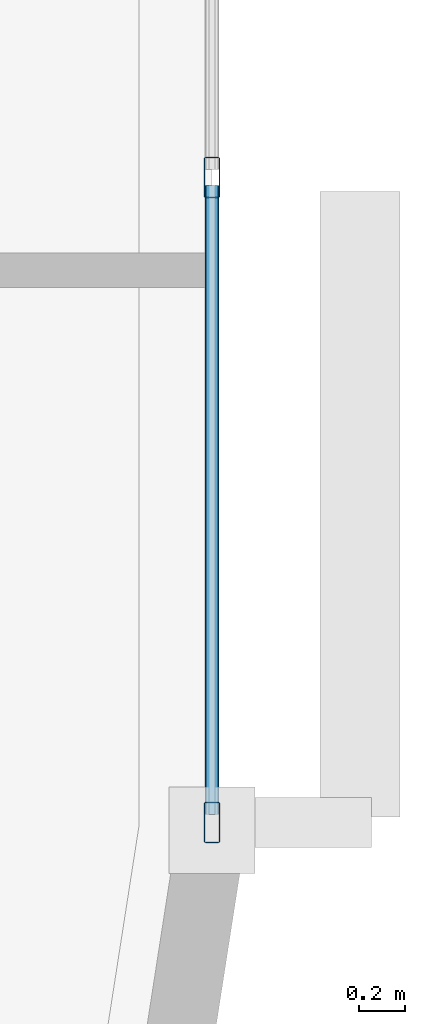
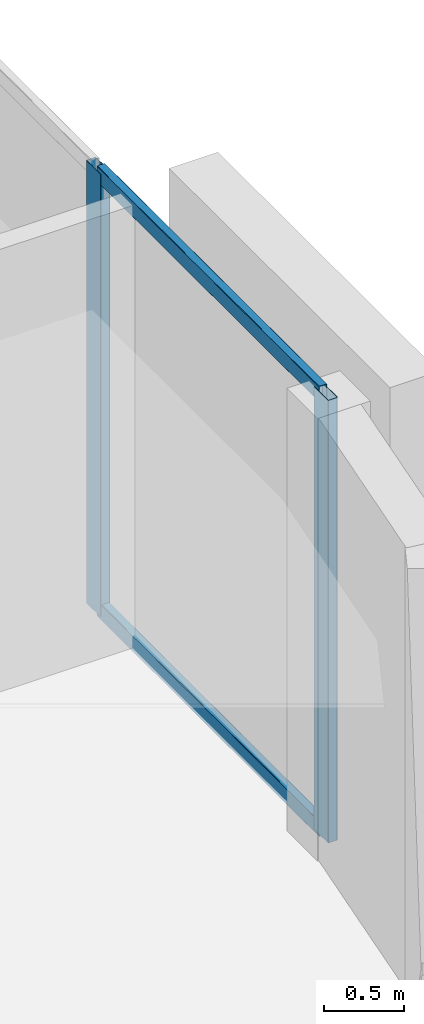
# One storey, part 4 of 15: 4 members, 1 element without a shape of its own.
"""IFC4 building model written with IfcOpenShell, lengths in metres."""

from ifc_helpers import new_model, si_unit, direction, frame, origin, origin_2d, place, context, subcontext, project, spatial, hollow_rectangle, extrude, material, layer, layer_set, material_profile, profile_set, type_object, element, aggregate, save


model = new_model("IFC4")

# Units and contexts
model_context = context("Model", 3, precision=1e-05, world=origin(), true_north=direction((0.0, 1.0)))
body_context = subcontext(model_context, "Body", "Model", "MODEL_VIEW")
ifc_project = project(units=[si_unit("LENGTHUNIT", "METRE"), si_unit("AREAUNIT", "SQUARE_METRE"), si_unit("VOLUMEUNIT", "CUBIC_METRE"), si_unit("PLANEANGLEUNIT", "RADIAN"), si_unit("MASSUNIT", "GRAM", prefix="KILO")], contexts=[model_context])

# Site, building, storey
site_placement = place(None, origin())
site = spatial("IfcSite", under=ifc_project, at=site_placement, CompositionType="ELEMENT")
building_placement = place(site_placement, origin())
building = spatial("IfcBuilding", under=site, at=building_placement, Name="An Khanh Terracotta Commons", CompositionType="ELEMENT")
storey_placement = place(building_placement, frame((0.0, 0.0, 129.5)))
storey = spatial("IfcBuildingStorey", under=building, at=storey_placement, Name="L34", CompositionType="ELEMENT", Elevation=129.5)

# Curtain wall, members
ifc_material = material(Name="Anodised Aluminium 6063-T6", Category="aluminium")
ifc_layer = layer(ifc_material, 0.199951171875, Name="Anodised Aluminium 6063-T6")
ifc_layer_set = layer_set([ifc_layer], Name="Anodised Aluminium 6063-T6")
curtain_wall_type = type_object("IfcCurtainWallType", Name="CW-SYS-02", PredefinedType="USERDEFINED", material=ifc_layer_set)
curtain_wall_placement = place(storey_placement, origin())
curtain_wall = element("IfcCurtainWall", 1, at=curtain_wall_placement, inside=storey, type_object=curtain_wall_type, Name="L34 CW-02 Unitised Curtain Wall CW-L34-12", ObjectType="UNITISED CURTAIN WALL", PredefinedType="USERDEFINED")
ifc_material_profile_1 = material_profile(ifc_material, hollow_rectangle(XDim=0.070068359375, YDim=0.179931640625, WallThickness=0.00390625, InnerFilletRadius=0.00390625, OuterFilletRadius=0.008056640625, at=origin_2d()), Name="RHS180x70x4")
ifc_profile_set_1 = profile_set([ifc_material_profile_1], Name="Anodised Aluminium 6063-T6")
member_type_1 = type_object("IfcMemberType", Name="CWM-RHS180x70x4", PredefinedType="MULLION", material=ifc_profile_set_1)
member_1_placement = place(storey_placement, frame((57.39990234375, 15.43505859375, 0.0), z_axis=(0.0, 0.0, 1.0), x_axis=(-1.0, 0.0, 0.0)))
member_1 = element("IfcMember", 2, at=member_1_placement, type_object=member_type_1, Name="CW-02 mullion 1", PredefinedType="MULLION", context=body_context, shape_type="SweptSolid", body=[
    extrude(hollow_rectangle(XDim=0.070068359375, YDim=0.179931640625, WallThickness=0.00390625, InnerFilletRadius=0.00390625, OuterFilletRadius=0.008056640625, at=origin_2d()), origin(), (0.0, 0.0, 1.0), 3.360107421875),
])
member_2_placement = place(storey_placement, frame((57.39990234375, 18.2666015625, 0.0), z_axis=(0.0, 0.0, 1.0), x_axis=(-1.0, 0.0, 0.0)))
member_2 = element("IfcMember", 3, at=member_2_placement, type_object=member_type_1, Name="CW-02 mullion 2", PredefinedType="MULLION", context=body_context, shape_type="SweptSolid", body=[
    extrude(hollow_rectangle(XDim=0.070068359375, YDim=0.179931640625, WallThickness=0.00390625, InnerFilletRadius=0.00390625, OuterFilletRadius=0.008056640625, at=origin_2d()), origin(), (0.0, 0.0, 1.0), 3.360107421875),
])
ifc_material_profile_2 = material_profile(ifc_material, hollow_rectangle(XDim=0.06005859375, YDim=0.1201171875, WallThickness=0.003662109375, InnerFilletRadius=0.003662109375, OuterFilletRadius=0.007080078125, at=origin_2d()), Name="RHS120x60x3.6")
ifc_profile_set_2 = profile_set([ifc_material_profile_2], Name="Anodised Aluminium 6063-T6")
member_type_2 = type_object("IfcMemberType", Name="CWT-RHS120x60x3.6", PredefinedType="USERDEFINED", material=ifc_profile_set_2)
member_3_placement = place(storey_placement, frame((57.39990234375, 15.469970703125, 0.030029296875), z_axis=(0.0, 1.0, 0.0), x_axis=(-1.0, 0.0, 0.0)))
member_3 = element("IfcMember", 4, at=member_3_placement, type_object=member_type_2, Name="CW-02 transom 1.1", ObjectType="TRANSOM", PredefinedType="USERDEFINED", context=body_context, shape_type="SweptSolid", body=[
    extrude(hollow_rectangle(XDim=0.06005859375, YDim=0.1201171875, WallThickness=0.003662109375, InnerFilletRadius=0.003662109375, OuterFilletRadius=0.007080078125, at=origin_2d()), origin(), (0.0, 0.0, 1.0), 2.76171875),
])
member_4_placement = place(storey_placement, frame((57.39990234375, 15.469970703125, 3.330078125), z_axis=(0.0, 1.0, 0.0), x_axis=(-1.0, 0.0, 0.0)))
member_4 = element("IfcMember", 5, at=member_4_placement, type_object=member_type_2, Name="CW-02 transom 1.2", ObjectType="TRANSOM", PredefinedType="USERDEFINED", context=body_context, shape_type="SweptSolid", body=[
    extrude(hollow_rectangle(XDim=0.06005859375, YDim=0.1201171875, WallThickness=0.003662109375, InnerFilletRadius=0.003662109375, OuterFilletRadius=0.007080078125, at=origin_2d()), origin(), (0.0, 0.0, 1.0), 2.76171875),
])
aggregate(curtain_wall, [member_1, member_2, member_3, member_4])

save(model, "model.ifc")
